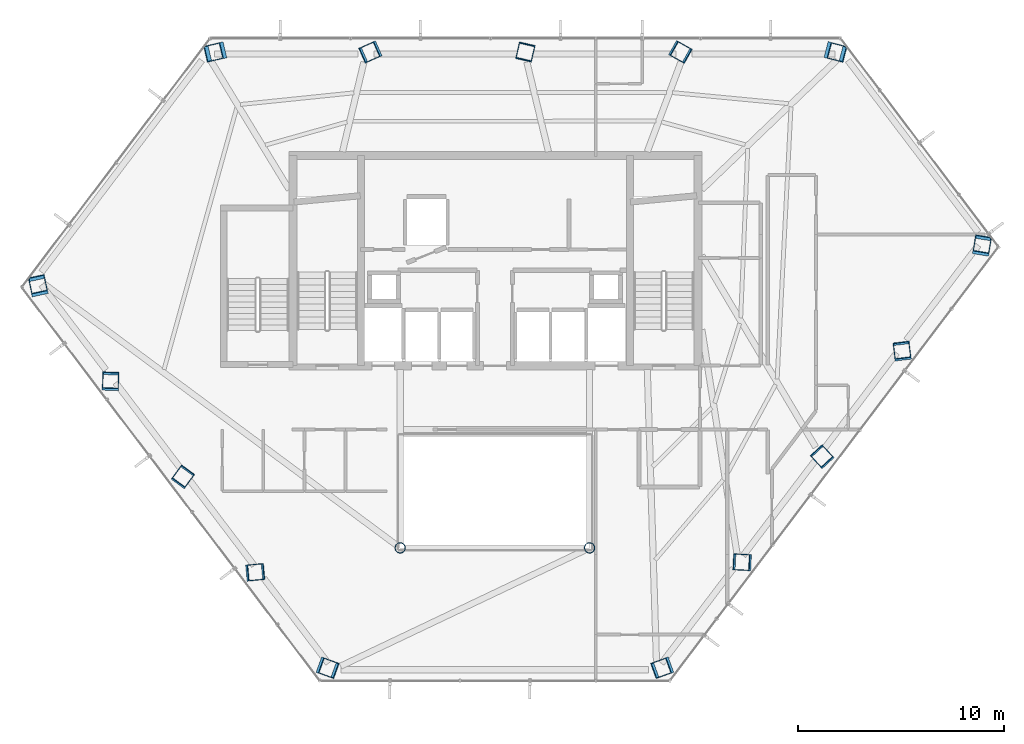
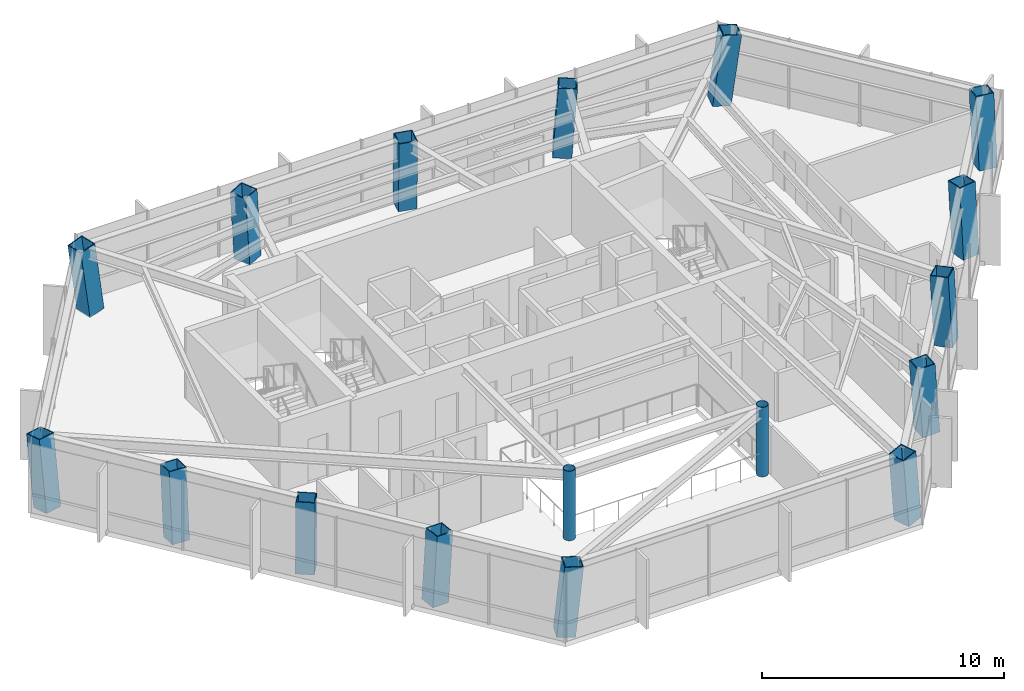
# One storey, part 1 of 29: 17 columns.
"""IFC4 building model written with IfcOpenShell, lengths in metres."""

import ifcopenshell
import ifcopenshell.guid

model = None  # the IFC model being written
_history = None  # IfcOwnerHistory: only IFC2X3 demands one
_inside = {}  # id of a spatial element -> (the spatial element, [elements in it])
_under = {}  # id of a project, library or spatial element -> (it, [spatial elements below it])
_declared = {}  # id of a project -> (the project, [libraries it declares])
_typed = {}  # id of a type object -> (the type object, [elements of that type])
_made_of = {}  # id of a material, layer set ... -> (it, [elements and type objects made of it])


def new_model(schema):
    """Start an empty IFC model of exactly this schema.

    Asked for "IFC4X3", IfcOpenShell would pick the latest addendum, in which some entities
    have other attributes; the version numbers below select the first issue.
    IFC2X3 requires an IfcOwnerHistory on every rooted entity: one is made here for all.
    """
    global model, _history
    if schema == "IFC4X3":
        model = ifcopenshell.file(schema_version=(4, 3, 0, 0))
    else:
        model = ifcopenshell.file(schema=schema)
    _inside.clear()
    _under.clear()
    _declared.clear()
    _typed.clear()
    _made_of.clear()
    _history = None
    if model.schema == "IFC2X3":
        org = make("IfcOrganization", Name="unknown")
        user = make(
            "IfcPersonAndOrganization",
            ThePerson=make("IfcPerson", FamilyName="unknown"),
            TheOrganization=org,
        )
        app = make(
            "IfcApplication",
            ApplicationDeveloper=org,
            Version="unknown",
            ApplicationFullName="unknown",
            ApplicationIdentifier="unknown",
        )
        _history = make(
            "IfcOwnerHistory",
            OwningUser=user,
            OwningApplication=app,
            ChangeAction="ADDED",
            CreationDate=0,
        )
    return model


def make(cls, **values):
    """One entity of the class cls with the attributes given. An attribute that is None is left unset."""
    return model.create_entity(
        cls, **{name: value for name, value in values.items() if value is not None}
    )


def rooted(cls, **values):
    """An entity with a GlobalId (a new one), such as an element, a storey or a relation."""
    return make(cls, GlobalId=ifcopenshell.guid.new(), OwnerHistory=_history, **values)


def si_unit(unit_type, name, prefix=None):
    """IfcSIUnit, for example si_unit("LENGTHUNIT", "METRE", prefix="MILLI")."""
    return make("IfcSIUnit", UnitType=unit_type, Prefix=prefix, Name=name)


def assignment(units):
    """IfcUnitAssignment: the units of a project."""
    return None if units is None else make("IfcUnitAssignment", Units=units)


def point(xyz):
    """IfcCartesianPoint."""
    return None if xyz is None else make("IfcCartesianPoint", Coordinates=xyz)


def direction(xyz):
    """IfcDirection."""
    return None if xyz is None else make("IfcDirection", DirectionRatios=xyz)


def frame(location, z_axis=None, x_axis=None):
    """IfcAxis2Placement3D, a coordinate frame: its origin and axes. An axis left out is left unset."""
    return make(
        "IfcAxis2Placement3D",
        Location=point(location),
        Axis=direction(z_axis),
        RefDirection=direction(x_axis),
    )


def frame_2d(location, x_axis=None):
    """IfcAxis2Placement2D, a coordinate frame in the plane: its origin and x axis."""
    return make(
        "IfcAxis2Placement2D", Location=point(location), RefDirection=direction(x_axis)
    )


def origin():
    """The frame at (0, 0, 0) with its axes left unset."""
    return frame((0.0, 0.0, 0.0))


def origin_2d():
    """The frame at (0, 0) in the plane with its x axis left unset."""
    return frame_2d((0.0, 0.0))


def place(relative_to, where):
    """IfcLocalPlacement: puts the frame where relative to a parent placement (None: the world)."""
    return make(
        "IfcLocalPlacement", PlacementRelTo=relative_to, RelativePlacement=where
    )


def context(
    kind, dimensions, precision=None, world=None, true_north=None, identifier=None
):
    """IfcGeometricRepresentationContext, for example the 3D "Model" context."""
    return make(
        "IfcGeometricRepresentationContext",
        ContextIdentifier=identifier,
        ContextType=kind,
        CoordinateSpaceDimension=dimensions,
        Precision=precision,
        WorldCoordinateSystem=world,
        TrueNorth=true_north,
    )


def subcontext(parent, identifier, kind, view, scale=None):
    """IfcGeometricRepresentationSubContext, for example "Body" below "Model"."""
    return make(
        "IfcGeometricRepresentationSubContext",
        ContextIdentifier=identifier,
        ContextType=kind,
        ParentContext=parent,
        TargetScale=scale,
        TargetView=view,
    )


def project(units=None, contexts=None):
    """IfcProject with its units and contexts."""
    return rooted(
        "IfcProject",
        Name="project",
        RepresentationContexts=contexts,
        UnitsInContext=assignment(units),
    )


def spatial(cls, under=None, at=None, **own):
    """A site, building, storey or space (cls), placed at a placement, below another one or the project."""
    s = rooted(cls, ObjectPlacement=at, **own)
    if under is not None:
        _under.setdefault(under.id(), (under, []))[1].append(s)
    return s


def profile(cls, at=None, kind="AREA", **sizes):
    """A parametric profile (cls). Its sizes go by their IFC names, for example OverallWidth=200.0."""
    return make(cls, ProfileType=kind, Position=at, **sizes)


def hollow_rectangle(**sizes):
    """IfcRectangleHollowProfileDef."""
    return profile("IfcRectangleHollowProfileDef", **sizes)


def hollow_circle(**sizes):
    """IfcCircleHollowProfileDef."""
    return profile("IfcCircleHollowProfileDef", **sizes)


def extrude(swept, where, along, depth):
    """IfcExtrudedAreaSolid: the profile swept, set in the frame where, extruded along a direction by depth."""
    return make(
        "IfcExtrudedAreaSolid",
        SweptArea=swept,
        Position=where,
        ExtrudedDirection=direction(along),
        Depth=depth,
    )


def shape(context_of_items, identifier, shape_type, items):
    """IfcShapeRepresentation: the items that make up one representation, for example the "Body"."""
    return make(
        "IfcShapeRepresentation",
        ContextOfItems=context_of_items,
        RepresentationIdentifier=identifier,
        RepresentationType=shape_type,
        Items=items,
    )


def material(Name=None, Category=None):
    """IfcMaterial."""
    return make("IfcMaterial", Name=Name, Category=Category)


def material_profile(
    of_material, cross_section, Name=None, Category=None, Priority=None
):
    """IfcMaterialProfile: a cross section and its material."""
    return make(
        "IfcMaterialProfile",
        Name=Name,
        Material=of_material,
        Profile=cross_section,
        Priority=Priority,
        Category=Category,
    )


def profile_set(profiles, Name=None, composite=None):
    """IfcMaterialProfileSet."""
    return make(
        "IfcMaterialProfileSet",
        Name=Name,
        MaterialProfiles=profiles,
        CompositeProfile=composite,
    )


def made_of(thing, what):
    """Note that an element or type object is made of a material, layer set ...; save() writes the relation."""
    if what is not None:
        _made_of.setdefault(what.id(), (what, []))[1].append(thing)
    return thing


def type_object(cls, material=None, **own):
    """A type object (cls), such as IfcWallType, which elements share."""
    return made_of(rooted(cls, **own), material)


def element(
    cls,
    number,
    at=None,
    inside=None,
    cuts=None,
    type_object=None,
    material=None,
    context=None,
    identifier="Body",
    shape_type=None,
    held_by="IfcProductDefinitionShape",
    body=None,
    shapes=None,
    **own,
):
    """One element of the class cls, such as IfcWall. Its Tag is "e" and its number.

    at: its placement. inside: the storey or other place that contains it. cuts: it is an
    opening in that element (IfcRelVoidsElement). A single representation is given by context,
    identifier, shape_type and body (its items); several are given by shapes. held_by: the class
    of the entity that holds the representations. save() writes the other relations.
    """
    e = rooted(cls, Tag="e%d" % number, ObjectPlacement=at, **own)
    if body is not None:
        shapes = [shape(context, identifier, shape_type, body)]
    if shapes is not None:
        e.Representation = make(held_by, Representations=shapes)
    if inside is not None:
        _inside.setdefault(inside.id(), (inside, []))[1].append(e)
    if cuts is not None:
        rooted(
            "IfcRelVoidsElement", RelatingBuildingElement=cuts, RelatedOpeningElement=e
        )
    if type_object is not None:
        _typed.setdefault(type_object.id(), (type_object, []))[1].append(e)
    return made_of(e, material)


def aggregate(whole, parts):
    """IfcRelAggregates: a whole, such as a stair, and the parts it consists of."""
    return rooted("IfcRelAggregates", RelatingObject=whole, RelatedObjects=parts)


def save(model, path):
    """Write the relations noted so far, then the file.

    IfcRelAggregates (storeys below a building ...), IfcRelContainedInSpatialStructure (elements
    in a storey), IfcRelDefinesByType, IfcRelAssociatesMaterial and IfcRelDeclares: one each for
    every whole, place, type object, material and project.
    """
    for whole, parts in _under.values():
        aggregate(whole, parts)
    for where, things in _inside.values():
        rooted(
            "IfcRelContainedInSpatialStructure",
            RelatedElements=things,
            RelatingStructure=where,
        )
    for kind, things in _typed.values():
        rooted("IfcRelDefinesByType", RelatedObjects=things, RelatingType=kind)
    for what, things in _made_of.values():
        rooted("IfcRelAssociatesMaterial", RelatedObjects=things, RelatingMaterial=what)
    for by, libraries in _declared.values():
        rooted("IfcRelDeclares", RelatingContext=by, RelatedDefinitions=libraries)
    model.write(path)


model = new_model("IFC4")

# Units and contexts
model_context = context("Model", 3, precision=1e-05, world=origin(), true_north=direction((0.0, 1.0)))
body_context = subcontext(model_context, "Body", "Model", "MODEL_VIEW")
ifc_project = project(units=[si_unit("LENGTHUNIT", "METRE"), si_unit("AREAUNIT", "SQUARE_METRE"), si_unit("VOLUMEUNIT", "CUBIC_METRE"), si_unit("PLANEANGLEUNIT", "RADIAN"), si_unit("MASSUNIT", "GRAM", prefix="KILO")], contexts=[model_context])

# Site, building, storey
site_placement = place(None, origin())
site = spatial("IfcSite", under=ifc_project, at=site_placement, CompositionType="ELEMENT")
building_placement = place(site_placement, origin())
building = spatial("IfcBuilding", under=site, at=building_placement, Name="Zarrinselat Tower", CompositionType="ELEMENT")
storey_placement = place(building_placement, frame((0.0, 0.0, 142.1201171875)))
storey = spatial("IfcBuildingStorey", under=building, at=storey_placement, Name="L34", CompositionType="ELEMENT", Elevation=142.1201171875)

# Columns
ifc_material_1 = material(Name="Steel S355J2", Category="steel")
ifc_material_profile_1 = material_profile(ifc_material_1, hollow_circle(Radius=0.25390625, WallThickness=0.02001953125, at=origin_2d()), Name="CHS 508x20")
ifc_profile_set_1 = profile_set([ifc_material_profile_1], Name="Steel S355J2")
column_type_1 = type_object("IfcColumnType", Name="COL-CHS508", PredefinedType="COLUMN", material=ifc_profile_set_1)
for number, where, z_axis, x_axis, name in (
    (1, (33.800048828125, 24.39990234375, 0.0), (0.0, 0.0, 1.0), (1.0, 0.0, 0.0), "L34 Atrium Corner Column 1"),
    (2, (43.0, 24.39990234375, 0.0), (0.0, 0.0, 1.0), (1.0, 0.0, 0.0), "L34 Atrium Corner Column 2"),
):
    element("IfcColumn", number, at=place(storey_placement, frame(where, z_axis=z_axis, x_axis=x_axis)), inside=storey, type_object=column_type_1, Name=name, PredefinedType="COLUMN", context=body_context, shape_type="SweptSolid", body=[
        extrude(hollow_circle(Radius=0.25390625, WallThickness=0.02001953125, at=origin_2d()), origin(), (0.0, 0.0, 1.0), 3.5),
    ])
ifc_material_2 = material(Name="Steel S460M", Category="steel")
ifc_material_profile_2 = material_profile(ifc_material_2, hollow_rectangle(XDim=0.800048828125, YDim=0.800048828125, WallThickness=0.0400390625, at=origin_2d()), Name="SHS 800x800x40")
ifc_profile_set_2 = profile_set([ifc_material_profile_2], Name="Steel S460M")
column_type_2 = type_object("IfcColumnType", Name="COL-SHS800", PredefinedType="COLUMN", material=ifc_profile_set_2)
column_1_placement = place(storey_placement, frame((54.864990234375, 48.5, 0.0), z_axis=(0.126009557122, -0.033058489739, 0.991478052087), x_axis=(0.25376154466, 0.967266808307, 0.0)))
element("IfcColumn", 3, at=column_1_placement, inside=storey, type_object=column_type_2, Name="L34 Framed-Tube Column T01", PredefinedType="COLUMN", context=body_context, shape_type="SweptSolid", body=[
    extrude(hollow_rectangle(XDim=0.800048828125, YDim=0.800048828125, WallThickness=0.0400390625, at=origin_2d()), origin(), (0.0, 0.0, 1.0), 3.530029296875),
])
column_2_placement = place(storey_placement, frame((47.375, 48.5, 0.0), z_axis=(0.059431986446, -0.033265210212, 0.997677936399), x_axis=(0.488416672205, 0.872610539881, 0.0)))
element("IfcColumn", 4, at=column_2_placement, inside=storey, type_object=column_type_2, Name="L34 Framed-Tube Column T02", PredefinedType="COLUMN", context=body_context, shape_type="SweptSolid", body=[
    extrude(hollow_rectangle(XDim=0.800048828125, YDim=0.800048828125, WallThickness=0.0400390625, at=origin_2d()), origin(), (0.0, 0.0, 1.0), 3.508056640625),
])
column_3_placement = place(storey_placement, frame((39.884765625, 48.5, 0.0), z_axis=(-0.007807922907, -0.033323099549, 0.999414132068), x_axis=(0.973630450451, -0.228130984206, 0.0)))
element("IfcColumn", 5, at=column_3_placement, inside=storey, type_object=column_type_2, Name="L34 Framed-Tube Column T03", PredefinedType="COLUMN", context=body_context, shape_type="SweptSolid", body=[
    extrude(hollow_rectangle(XDim=0.800048828125, YDim=0.800048828125, WallThickness=0.0400390625, at=origin_2d()), origin(), (0.0, 0.0, 1.0), 3.501953125),
])
column_4_placement = place(storey_placement, frame((32.39453125, 48.5, 0.0), z_axis=(-0.075011336624, -0.033230230682, 0.996628843224), x_axis=(0.405037478634, -0.914300082523, 0.0)))
element("IfcColumn", 6, at=column_4_placement, inside=storey, type_object=column_type_2, Name="L34 Framed-Tube Column T04", PredefinedType="COLUMN", context=body_context, shape_type="SweptSolid", body=[
    extrude(hollow_rectangle(XDim=0.800048828125, YDim=0.800048828125, WallThickness=0.0400390625, at=origin_2d()), origin(), (0.0, 0.0, 1.0), 3.51171875),
])
column_5_placement = place(storey_placement, frame((24.904296875, 48.5, 0.0), z_axis=(-0.141209102135, -0.032990200792, 0.989429955139), x_axis=(0.227500427527, -0.973777980586, 0.0)))
element("IfcColumn", 7, at=column_5_placement, inside=storey, type_object=column_type_2, Name="L34 Framed-Tube Column T05", PredefinedType="COLUMN", context=body_context, shape_type="SweptSolid", body=[
    extrude(hollow_rectangle(XDim=0.800048828125, YDim=0.800048828125, WallThickness=0.0400390625, at=origin_2d()), origin(), (0.0, 0.0, 1.0), 3.537353515625),
])
column_6_placement = place(storey_placement, frame((16.238037109375, 37.060302734375, 0.0), z_axis=(-0.025752575251, 0.119971002445, 0.99244333009), x_axis=(-0.977728045643, -0.209875841304, 0.0)))
element("IfcColumn", 8, at=column_6_placement, inside=storey, type_object=column_type_2, Name="L34 Framed-Tube Column T06", PredefinedType="COLUMN", context=body_context, shape_type="SweptSolid", body=[
    extrude(hollow_rectangle(XDim=0.800048828125, YDim=0.800048828125, WallThickness=0.0400390625, at=origin_2d()), origin(), (0.0, 0.0, 1.0), 3.526611328125),
])
column_7_placement = place(storey_placement, frame((19.735107421875, 32.444091796875, 0.0), z_axis=(0.003128302558, 0.08223959836, 0.996607677165), x_axis=(-0.999277305831, 0.038011393713, 0.0)))
element("IfcColumn", 9, at=column_7_placement, inside=storey, type_object=column_type_2, Name="L34 Framed-Tube Column T07", PredefinedType="COLUMN", context=body_context, shape_type="SweptSolid", body=[
    extrude(hollow_rectangle(XDim=0.800048828125, YDim=0.800048828125, WallThickness=0.0400390625, at=origin_2d()), origin(), (0.0, 0.0, 1.0), 3.511962890625),
])
column_8_placement = place(storey_placement, frame((23.232177734375, 27.827880859375, 0.0), z_axis=(0.03217852079, 0.044088752511, 0.998509251185), x_axis=(-0.807741678923, 0.589536580825, 0.0)))
element("IfcColumn", 10, at=column_8_placement, inside=storey, type_object=column_type_2, Name="L34 Framed-Tube Column T08", PredefinedType="COLUMN", context=body_context, shape_type="SweptSolid", body=[
    extrude(hollow_rectangle(XDim=0.800048828125, YDim=0.800048828125, WallThickness=0.0400390625, at=origin_2d()), origin(), (0.0, 0.0, 1.0), 3.505126953125),
])
column_9_placement = place(storey_placement, frame((26.72900390625, 23.2119140625, 0.0), z_axis=(0.061198247597, 0.005709051539, 0.998109303244), x_axis=(-0.092884533266, 0.995676887087, 0.0)))
element("IfcColumn", 11, at=column_9_placement, inside=storey, type_object=column_type_2, Name="L34 Framed-Tube Column T09", PredefinedType="COLUMN", context=body_context, shape_type="SweptSolid", body=[
    extrude(hollow_rectangle(XDim=0.800048828125, YDim=0.800048828125, WallThickness=0.0400390625, at=origin_2d()), origin(), (0.0, 0.0, 1.0), 3.506591796875),
])
for number, where, z_axis, x_axis, name in (
    (12, (30.22607421875, 18.595703125, 0.0), (0.089987082643, -0.032495335399, 0.995412667257), (0.339644463778, 0.940553899692, 0.0), "L34 Framed-Tube Column T10"),
    (13, (46.573974609375, 18.595703125, 0.0), (-0.089987082643, -0.032495335399, 0.995412667257), (0.339644463778, -0.940553899692, 0.0), "L34 Framed-Tube Column T11"),
):
    element("IfcColumn", number, at=place(storey_placement, frame(where, z_axis=z_axis, x_axis=x_axis)), inside=storey, type_object=column_type_2, Name=name, PredefinedType="COLUMN", context=body_context, shape_type="SweptSolid", body=[
        extrude(hollow_rectangle(XDim=0.800048828125, YDim=0.800048828125, WallThickness=0.0400390625, at=origin_2d()), origin(), (0.0, 0.0, 1.0), 3.51611328125),
    ])
column_10_placement = place(storey_placement, frame((50.442138671875, 23.701904296875, 0.0), z_axis=(-0.063140746521, 0.003132672099, 0.997999715678), x_axis=(-0.049553160901, -0.998771487501, 0.0)))
element("IfcColumn", 14, at=column_10_placement, inside=storey, type_object=column_type_2, Name="L34 Framed-Tube Column T12", PredefinedType="COLUMN", context=body_context, shape_type="SweptSolid", body=[
    extrude(hollow_rectangle(XDim=0.800048828125, YDim=0.800048828125, WallThickness=0.0400390625, at=origin_2d()), origin(), (0.0, 0.0, 1.0), 3.507080078125),
])
column_11_placement = place(storey_placement, frame((54.310302734375, 28.807861328125, 0.0), z_axis=(-0.036081962312, 0.038868214228, 0.998592686694), x_axis=(-0.732887043216, -0.68035033761, 0.0)))
element("IfcColumn", 15, at=column_11_placement, inside=storey, type_object=column_type_2, Name="L34 Framed-Tube Column T13", PredefinedType="COLUMN", context=body_context, shape_type="SweptSolid", body=[
    extrude(hollow_rectangle(XDim=0.800048828125, YDim=0.800048828125, WallThickness=0.0400390625, at=origin_2d()), origin(), (0.0, 0.0, 1.0), 3.5048828125),
])
column_12_placement = place(storey_placement, frame((58.178466796875, 33.9140625, 0.0), z_axis=(-0.008972958808, 0.074496425455, 0.99718091067), x_axis=(-0.992824103991, -0.119583855663, 0.0)))
element("IfcColumn", 16, at=column_12_placement, inside=storey, type_object=column_type_2, Name="L34 Framed-Tube Column T14", PredefinedType="COLUMN", context=body_context, shape_type="SweptSolid", body=[
    extrude(hollow_rectangle(XDim=0.800048828125, YDim=0.800048828125, WallThickness=0.0400390625, at=origin_2d()), origin(), (0.0, 0.0, 1.0), 3.510009765625),
])
column_13_placement = place(storey_placement, frame((62.046630859375, 39.02001953125, 0.0), z_axis=(0.018023393121, 0.109873377298, 0.993782168416), x_axis=(-0.986811366095, 0.161874419675, 0.0)))
element("IfcColumn", 17, at=column_13_placement, inside=storey, type_object=column_type_2, Name="L34 Framed-Tube Column T15", PredefinedType="COLUMN", context=body_context, shape_type="SweptSolid", body=[
    extrude(hollow_rectangle(XDim=0.800048828125, YDim=0.800048828125, WallThickness=0.0400390625, at=origin_2d()), origin(), (0.0, 0.0, 1.0), 3.52197265625),
])

save(model, "model.ifc")
